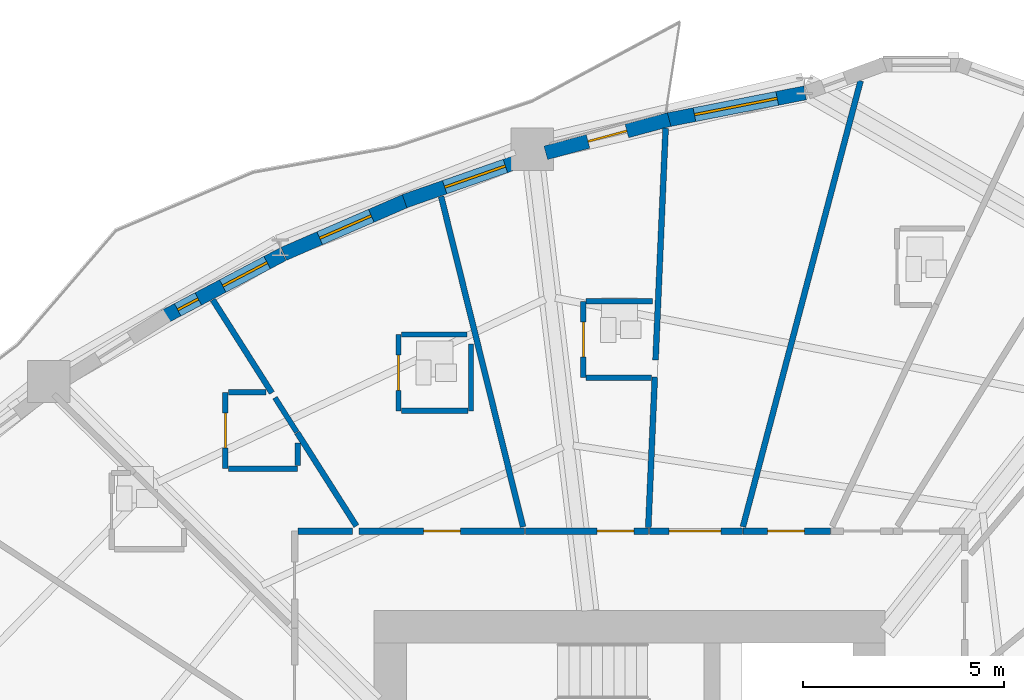
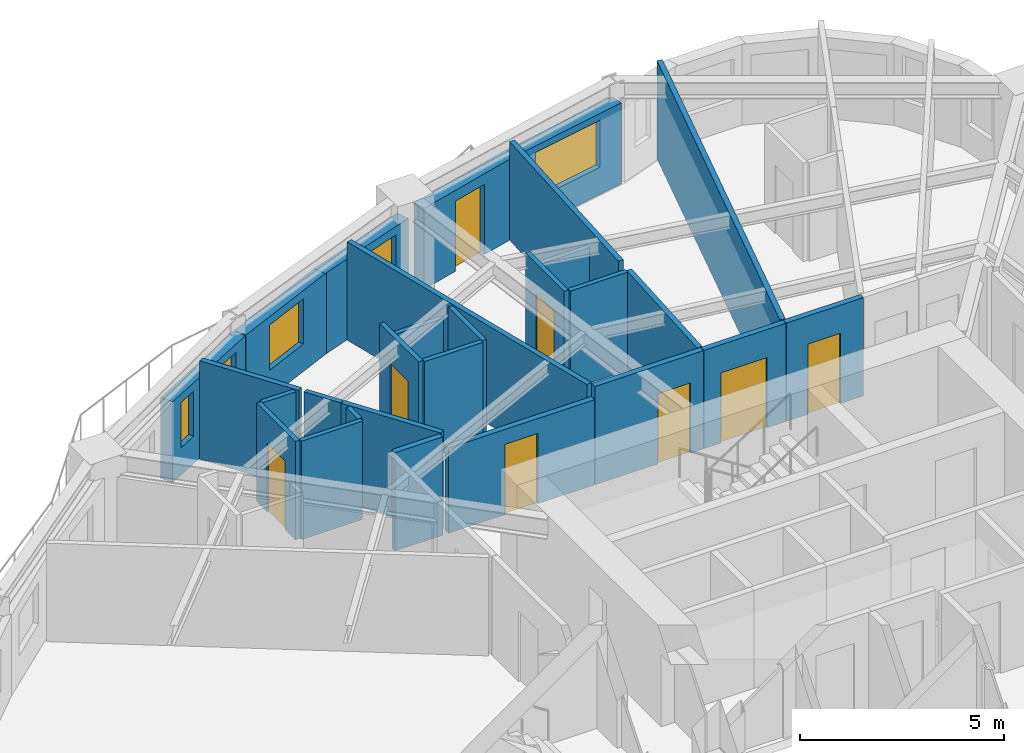
# One storey, part 9 of 14: 28 walls, 8 doors, 5 windows, 13 openings.
"""IFC4 building model written with IfcOpenShell, lengths in metres."""

from ifc_helpers import new_model, si_unit, direction, frame, frame_2d, origin, place, context, subcontext, project, spatial, rectangle, extrude, source, transform, mapped, material, layer, layer_set, type_object, element, fill, save


model = new_model("IFC4")

# Units and contexts
model_context = context("Model", 3, precision=1e-05, world=origin(), true_north=direction((0.0, 1.0)))
body_context = subcontext(model_context, "Body", "Model", "MODEL_VIEW")
ifc_project = project(units=[si_unit("LENGTHUNIT", "METRE"), si_unit("AREAUNIT", "SQUARE_METRE"), si_unit("VOLUMEUNIT", "CUBIC_METRE"), si_unit("PLANEANGLEUNIT", "RADIAN"), si_unit("MASSUNIT", "GRAM", prefix="KILO")], contexts=[model_context])

# Site, building, storey
site_placement = place(None, origin())
site = spatial("IfcSite", under=ifc_project, at=site_placement, CompositionType="ELEMENT")
building_placement = place(site_placement, origin())
building = spatial("IfcBuilding", under=site, at=building_placement, Name="Qafzar Sky-Pleat Residences", CompositionType="ELEMENT")
storey_placement = place(building_placement, frame((0.0, 0.0, 7.800048828125)))
storey = spatial("IfcBuildingStorey", under=building, at=storey_placement, Name="L01", CompositionType="ELEMENT", Elevation=7.800048828125)

# Wall, opening, door
ifc_material_1 = material(Name="Acoustic gypsum plasterboard partition", Category="gypsum")
ifc_layer_1 = layer(ifc_material_1, 0.159912109375)
ifc_layer_set_1 = layer_set([ifc_layer_1], Name="Acoustic gypsum plasterboard partition")
wall_type_1 = type_object("IfcWallType", Name="PART-COR-160", PredefinedType="PARTITIONING", material=ifc_layer_set_1)
wall_1_placement = place(storey_placement, frame((23.617919921875, 36.580078125, 0.0), z_axis=(0.0, 0.0, 1.0), x_axis=(1.0, 0.0, 0.0)))
wall_1 = element("IfcWall", 1, at=wall_1_placement, inside=storey, type_object=wall_type_1, Name="L01 Partition Wall PART-L01-PW-001", PredefinedType="PARTITIONING", context=body_context, shape_type="SweptSolid", body=[
    extrude(rectangle(XDim=4.123046875, YDim=0.159912109375, at=frame_2d((2.0615234375, 0.0))), origin(), (0.0, 0.0, 1.0), 2.5478515625),
])
opening_1_placement = place(wall_1_placement, frame((1.60302734375, 0.0, 0.0)))
opening_1 = element("IfcOpeningElement", 2, at=opening_1_placement, cuts=wall_1, Name="Opening ID-04", PredefinedType="OPENING", context=body_context, shape_type="SweptSolid", body=[
    extrude(rectangle(XDim=0.919921875, YDim=2.10009765625, at=frame_2d((0.4599609375, 1.050048828125))), frame((0.0, 0.08984375, 0.0), z_axis=(0.0, -1.0, 0.0), x_axis=(1.0, 0.0, 0.0)), (0.0, 0.0, 1.0), 0.179931640625),
])
ifc_material_2 = material(Name="Timber-faced fire door", Category="wood")
door_type_1 = type_object("IfcDoorType", Name="DR-BED-920", OperationType="NOTDEFINED", PredefinedType="DOOR", material=ifc_material_2)
shared_shape_1 = source(origin(), body_context, "Body", "SweptSolid", [
    extrude(rectangle(XDim=0.919921875, YDim=2.10009765625, at=frame_2d((0.4599609375, 1.050048828125))), frame((0.0, 0.02490234375, 0.0), z_axis=(0.0, -1.0, 0.0), x_axis=(1.0, 0.0, 0.0)), (0.0, 0.0, 1.0), 0.050048828125),
])
door_1_placement = place(opening_1_placement, origin())
door_1 = element("IfcDoor", 3, at=door_1_placement, inside=storey, type_object=door_type_1, Name="L01 Co-Living Bedroom 9 Door", OperationType="SINGLE_SWING_LEFT", OverallHeight=2.10009765625, OverallWidth=0.919921875, PredefinedType="DOOR", context=body_context, shape_type="MappedRepresentation", body=[
    mapped(shared_shape_1, transform((0.0, 0.0, 0.0), x_axis=(1.0, 0.0, 0.0), y_axis=(0.0, 1.0, 0.0), z_axis=(0.0, 0.0, 1.0), scale=1.0)),
])
fill(opening_1, door_1)

wall_2_placement = place(storey_placement, frame((27.756103515625, 36.580078125, 0.0), z_axis=(0.0, 0.0, 1.0), x_axis=(1.0, 0.0, 0.0)))
wall_2 = element("IfcWall", 4, at=wall_2_placement, inside=storey, type_object=wall_type_1, Name="L01 Partition Wall PART-L01-PW-006", PredefinedType="PARTITIONING", context=body_context, shape_type="SweptSolid", body=[
    extrude(rectangle(XDim=3.06982421875, YDim=0.159912109375, at=frame_2d((1.534912109375, 0.0))), origin(), (0.0, 0.0, 1.0), 2.93994140625),
])
opening_2_placement = place(wall_2_placement, frame((1.78759765625, 0.0, 0.0)))
opening_2 = element("IfcOpeningElement", 5, at=opening_2_placement, cuts=wall_2, Name="Opening ID-04", PredefinedType="OPENING", context=body_context, shape_type="SweptSolid", body=[
    extrude(rectangle(XDim=0.919921875, YDim=2.10009765625, at=frame_2d((0.4599609375, 1.050048828125))), frame((0.0, 0.08984375, 0.0), z_axis=(0.0, -1.0, 0.0), x_axis=(1.0, 0.0, 0.0)), (0.0, 0.0, 1.0), 0.179931640625),
])
door_2_placement = place(opening_2_placement, origin())
door_2 = element("IfcDoor", 6, at=door_2_placement, inside=storey, type_object=door_type_1, Name="L01 Co-Living Bedroom 8 Door", OperationType="SINGLE_SWING_LEFT", OverallHeight=2.10009765625, OverallWidth=0.919921875, PredefinedType="DOOR", context=body_context, shape_type="MappedRepresentation", body=[
    mapped(shared_shape_1, transform((0.0, 0.0, 0.0), x_axis=(1.0, 0.0, 0.0), y_axis=(0.0, 1.0, 0.0), z_axis=(0.0, 0.0, 1.0), scale=1.0)),
])
fill(opening_2, door_2)

wall_3_placement = place(storey_placement, frame((30.841064453125, 36.580078125, 0.0), z_axis=(0.0, 0.0, 1.0), x_axis=(1.0, 0.0, 0.0)))
wall_3 = element("IfcWall", 7, at=wall_3_placement, inside=storey, type_object=wall_type_1, Name="L01 Partition Wall PART-L01-PW-018", PredefinedType="PARTITIONING", context=body_context, shape_type="SweptSolid", body=[
    extrude(rectangle(XDim=2.31591796875, YDim=0.159912109375, at=frame_2d((1.157958984375, 0.0))), origin(), (0.0, 0.0, 1.0), 2.93994140625),
])
opening_3_placement = place(wall_3_placement, frame((0.485107421875, 0.0, 0.0)))
opening_3 = element("IfcOpeningElement", 8, at=opening_3_placement, cuts=wall_3, Name="Opening ID-05", PredefinedType="OPENING", context=body_context, shape_type="SweptSolid", body=[
    extrude(rectangle(XDim=1.300048828125, YDim=2.10009765625, at=frame_2d((0.64990234375, 1.050048828125))), frame((0.0, 0.08984375, 0.0), z_axis=(0.0, -1.0, 0.0), x_axis=(1.0, 0.0, 0.0)), (0.0, 0.0, 1.0), 0.179931640625),
])
door_type_2 = type_object("IfcDoorType", Name="DR-LNG-1300", OperationType="DOUBLE_DOOR_SINGLE_SWING", PredefinedType="DOOR", material=ifc_material_2)
shared_shape_2 = source(origin(), body_context, "Body", "SweptSolid", [
    extrude(rectangle(XDim=1.300048828125, YDim=2.10009765625, at=frame_2d((0.64990234375, 1.050048828125))), frame((0.0, 0.02490234375, 0.0), z_axis=(0.0, -1.0, 0.0), x_axis=(1.0, 0.0, 0.0)), (0.0, 0.0, 1.0), 0.050048828125),
])
door_3_placement = place(opening_3_placement, origin())
door_3 = element("IfcDoor", 9, at=door_3_placement, inside=storey, type_object=door_type_2, Name="L01 Communal Kitchen Door", OperationType="DOUBLE_DOOR_SINGLE_SWING", OverallHeight=2.10009765625, OverallWidth=1.300048828125, PredefinedType="DOOR", context=body_context, shape_type="MappedRepresentation", body=[
    mapped(shared_shape_2, transform((0.0, 0.0, 0.0), x_axis=(1.0, 0.0, 0.0), y_axis=(0.0, 1.0, 0.0), z_axis=(0.0, 0.0, 1.0), scale=1.0)),
])
fill(opening_3, door_3)

wall_4_placement = place(storey_placement, frame((33.172119140625, 36.580078125, 0.0), z_axis=(0.0, 0.0, 1.0), x_axis=(1.0, 0.0, 0.0)))
wall_4 = element("IfcWall", 10, at=wall_4_placement, inside=storey, type_object=wall_type_1, Name="L01 Partition Wall PART-L01-PW-020", PredefinedType="PARTITIONING", context=body_context, shape_type="SweptSolid", body=[
    extrude(rectangle(XDim=2.1728515625, YDim=0.159912109375, at=frame_2d((1.08642578125, 0.0))), origin(), (0.0, 0.0, 1.0), 2.93994140625),
])
opening_4_placement = place(wall_4_placement, frame((0.60302734375, 0.0, 0.0)))
opening_4 = element("IfcOpeningElement", 11, at=opening_4_placement, cuts=wall_4, Name="Opening ID-04", PredefinedType="OPENING", context=body_context, shape_type="SweptSolid", body=[
    extrude(rectangle(XDim=0.919921875, YDim=2.10009765625, at=frame_2d((0.4599609375, 1.050048828125))), frame((0.0, 0.08984375, 0.0), z_axis=(0.0, -1.0, 0.0), x_axis=(1.0, 0.0, 0.0)), (0.0, 0.0, 1.0), 0.179931640625),
])
door_4_placement = place(opening_4_placement, origin())
door_4 = element("IfcDoor", 12, at=door_4_placement, inside=storey, type_object=door_type_1, Name="L01 Co-Living Bedroom 7 Door", OperationType="SINGLE_SWING_RIGHT", OverallHeight=2.10009765625, OverallWidth=0.919921875, PredefinedType="DOOR", context=body_context, shape_type="MappedRepresentation", body=[
    mapped(shared_shape_1, transform((0.0, 0.0, 0.0), x_axis=(1.0, 0.0, 0.0), y_axis=(0.0, 1.0, 0.0), z_axis=(0.0, 0.0, 1.0), scale=1.0)),
])
fill(opening_4, door_4)

# Walls
wall_5_placement = place(storey_placement, frame((22.10791015625, 36.580078125, 0.0), z_axis=(0.0, 0.0, 1.0), x_axis=(1.0, 0.0, 0.0)))
element("IfcWall", 13, at=wall_5_placement, inside=storey, type_object=wall_type_1, Name="L01 Partition Wall PART-L01-PW-097", PredefinedType="PARTITIONING", context=body_context, shape_type="SweptSolid", body=[
    extrude(rectangle(XDim=1.350341796875, YDim=0.159912109375, at=frame_2d((0.67529296875, 0.0))), origin(), (0.0, 0.0, 1.0), 2.93994140625),
])
ifc_layer_2 = layer(ifc_material_1, 0.14501953125)
ifc_layer_set_2 = layer_set([ifc_layer_2], Name="Acoustic gypsum plasterboard partition")
wall_type_2 = type_object("IfcWallType", Name="PART-UNIT-145", PredefinedType="PARTITIONING", material=ifc_layer_set_2)
wall_6_placement = place(storey_placement, frame((33.1689453125, 36.686279296875, 0.0), z_axis=(0.0, 0.0, 1.0), x_axis=(0.255112522394, 0.966911371801, 0.0)))
element("IfcWall", 14, at=wall_6_placement, inside=storey, type_object=wall_type_2, Name="L01 Partition Wall PART-L01-PW-040", PredefinedType="PARTITIONING", context=body_context, shape_type="SweptSolid", body=[
    extrude(rectangle(XDim=11.468505859375, YDim=0.14501953125, at=frame_2d((5.734375, 0.0))), origin(), (0.0, 0.0, 1.0), 2.93994140625),
])
wall_7_placement = place(storey_placement, frame((25.6630859375, 44.89892578125, 0.0), z_axis=(0.0, 0.0, 1.0), x_axis=(0.240695577024, -0.970600658974, 0.0)))
element("IfcWall", 15, at=wall_7_placement, inside=storey, type_object=wall_type_2, Name="L01 Partition Wall PART-L01-PW-046", PredefinedType="PARTITIONING", context=body_context, shape_type="SweptSolid", body=[
    extrude(rectangle(XDim=8.46240234375, YDim=0.14501953125, at=frame_2d((4.231201171875, 0.0))), origin(), (0.0, 0.0, 1.0), 2.93994140625),
])
wall_8_placement = place(storey_placement, frame((30.99609375, 40.8359375, 0.0), z_axis=(0.0, 0.0, 1.0), x_axis=(0.043354544378, 0.999059749706, 0.0)))
element("IfcWall", 16, at=wall_8_placement, inside=storey, type_object=wall_type_2, Name="L01 Partition Wall PART-L01-PW-055", PredefinedType="PARTITIONING", context=body_context, shape_type="SweptSolid", body=[
    extrude(rectangle(XDim=5.766357421875, YDim=0.14501953125, at=frame_2d((2.88330078125, 0.0))), origin(), (0.0, 0.0, 1.0), 2.93994140625),
])
wall_9_placement = place(storey_placement, frame((30.81494140625, 36.671142578125, 0.0), z_axis=(0.0, 0.0, 1.0), x_axis=(0.043352224588, 0.999059850371, 0.0)))
element("IfcWall", 17, at=wall_9_placement, inside=storey, type_object=wall_type_2, Name="L01 Partition Wall PART-L01-PW-062", PredefinedType="PARTITIONING", context=body_context, shape_type="SweptSolid", body=[
    extrude(rectangle(XDim=3.7392578125, YDim=0.14501953125, at=frame_2d((1.86962890625, 0.0))), origin(), (0.0, 0.0, 1.0), 2.93994140625),
])
wall_10_placement = place(storey_placement, frame((22.08203125, 39.028076171875, 0.0), z_axis=(0.0, 0.0, 1.0), x_axis=(0.535944885386, -0.844252971465, 0.0)))
element("IfcWall", 18, at=wall_10_placement, inside=storey, type_object=wall_type_2, Name="L01 Partition Wall PART-L01-PW-069", PredefinedType="PARTITIONING", context=body_context, shape_type="SweptSolid", body=[
    extrude(rectangle(XDim=2.7509765625, YDim=0.14501953125, at=frame_2d((1.37548828125, 0.0))), origin(), (0.0, 0.0, 1.0), 2.93994140625),
])
wall_11_placement = place(storey_placement, frame((19.98681640625, 42.329833984375, 0.0), z_axis=(0.0, 0.0, 1.0), x_axis=(0.535808561115, -0.844339496788, 0.0)))
element("IfcWall", 19, at=wall_11_placement, inside=storey, type_object=wall_type_2, Name="L01 Partition Wall PART-L01-PW-072", PredefinedType="PARTITIONING", context=body_context, shape_type="SweptSolid", body=[
    extrude(rectangle(XDim=2.740234375, YDim=0.14501953125, at=frame_2d((1.3701171875, 0.0))), origin(), (0.0, 0.0, 1.0), 2.93994140625),
])

# Wall, opening, door
ifc_material_3 = material(Name="Moisture-resistant gypsum partition", Category="gypsum")
ifc_layer_3 = layer(ifc_material_3, 0.1298828125)
ifc_layer_set_3 = layer_set([ifc_layer_3], Name="Moisture-resistant gypsum partition")
wall_type_3 = type_object("IfcWallType", Name="PART-WET-130", PredefinedType="PARTITIONING", material=ifc_layer_set_3)
wall_12_placement = place(storey_placement, frame((29.198974609375, 42.2919921875, 0.0), z_axis=(0.0, 0.0, 1.0), x_axis=(0.0, -1.0, 0.0)))
wall_12 = element("IfcWall", 20, at=wall_12_placement, inside=storey, type_object=wall_type_3, Name="L01 Partition Wall PART-L01-PW-028", PredefinedType="PARTITIONING", context=body_context, shape_type="SweptSolid", body=[
    extrude(rectangle(XDim=1.89990234375, YDim=0.1298828125, at=frame_2d((0.949951171875, 0.0))), origin(), (0.0, 0.0, 1.0), 2.93994140625),
])
opening_5_placement = place(wall_12_placement, frame((0.510009765625, 0.0, 0.0)))
opening_5 = element("IfcOpeningElement", 21, at=opening_5_placement, cuts=wall_12, Name="Opening ID-07", PredefinedType="OPENING", context=body_context, shape_type="SweptSolid", body=[
    extrude(rectangle(XDim=0.8798828125, YDim=2.050048828125, at=frame_2d((0.43994140625, 1.02490234375))), frame((0.0, 0.074951171875, 0.0), z_axis=(0.0, -1.0, 0.0), x_axis=(1.0, 0.0, 0.0)), (0.0, 0.0, 1.0), 0.14990234375),
])
door_type_3 = type_object("IfcDoorType", Name="DR-WET-880", OperationType="NOTDEFINED", PredefinedType="DOOR", material=ifc_material_2)
shared_shape_3 = source(origin(), body_context, "Body", "SweptSolid", [
    extrude(rectangle(XDim=0.8798828125, YDim=2.050048828125, at=frame_2d((0.43994140625, 1.02490234375))), frame((0.0, 0.02490234375, 0.0), z_axis=(0.0, -1.0, 0.0), x_axis=(1.0, 0.0, 0.0)), (0.0, 0.0, 1.0), 0.050048828125),
])
door_5_placement = place(opening_5_placement, origin())
door_5 = element("IfcDoor", 22, at=door_5_placement, inside=storey, type_object=door_type_3, Name="L01 En-suite Bathroom 8 Door", OperationType="SINGLE_SWING_RIGHT", OverallHeight=2.050048828125, OverallWidth=0.8798828125, PredefinedType="DOOR", context=body_context, shape_type="MappedRepresentation", body=[
    mapped(shared_shape_3, transform((0.0, 0.0, 0.0), x_axis=(1.0, 0.0, 0.0), y_axis=(0.0, 1.0, 0.0), z_axis=(0.0, 0.0, 1.0), scale=1.0)),
])
fill(opening_5, door_5)

wall_13_placement = place(storey_placement, frame((24.60595703125, 41.469970703125, 0.0), z_axis=(0.0, 0.0, 1.0), x_axis=(0.0, -1.0, 0.0)))
wall_13 = element("IfcWall", 23, at=wall_13_placement, inside=storey, type_object=wall_type_3, Name="L01 Partition Wall PART-L01-PW-029", PredefinedType="PARTITIONING", context=body_context, shape_type="SweptSolid", body=[
    extrude(rectangle(XDim=1.89990234375, YDim=0.1298828125, at=frame_2d((0.949951171875, 0.0))), origin(), (0.0, 0.0, 1.0), 2.93994140625),
])
opening_6_placement = place(wall_13_placement, frame((0.510009765625, 0.0, 0.0)))
opening_6 = element("IfcOpeningElement", 24, at=opening_6_placement, cuts=wall_13, Name="Opening ID-07", PredefinedType="OPENING", context=body_context, shape_type="SweptSolid", body=[
    extrude(rectangle(XDim=0.8798828125, YDim=2.050048828125, at=frame_2d((0.43994140625, 1.02490234375))), frame((0.0, 0.074951171875, 0.0), z_axis=(0.0, -1.0, 0.0), x_axis=(1.0, 0.0, 0.0)), (0.0, 0.0, 1.0), 0.14990234375),
])
door_6_placement = place(opening_6_placement, origin())
door_6 = element("IfcDoor", 25, at=door_6_placement, inside=storey, type_object=door_type_3, Name="L01 En-suite Bathroom 9 Door", OperationType="SINGLE_SWING_LEFT", OverallHeight=2.050048828125, OverallWidth=0.8798828125, PredefinedType="DOOR", context=body_context, shape_type="MappedRepresentation", body=[
    mapped(shared_shape_3, transform((0.0, 0.0, 0.0), x_axis=(1.0, 0.0, 0.0), y_axis=(0.0, 1.0, 0.0), z_axis=(0.0, 0.0, 1.0), scale=1.0)),
])
fill(opening_6, door_6)

wall_14_placement = place(storey_placement, frame((20.297119140625, 40.031005859375, 0.0), z_axis=(0.0, 0.0, 1.0), x_axis=(0.0, -1.0, 0.0)))
wall_14 = element("IfcWall", 26, at=wall_14_placement, inside=storey, type_object=wall_type_3, Name="L01 Partition Wall PART-L01-PW-031", PredefinedType="PARTITIONING", context=body_context, shape_type="SweptSolid", body=[
    extrude(rectangle(XDim=1.89990234375, YDim=0.1298828125, at=frame_2d((0.949951171875, 0.0))), origin(), (0.0, 0.0, 1.0), 2.93994140625),
])
opening_7_placement = place(wall_14_placement, frame((0.510009765625, 0.0, 0.0)))
opening_7 = element("IfcOpeningElement", 27, at=opening_7_placement, cuts=wall_14, Name="Opening ID-07", PredefinedType="OPENING", context=body_context, shape_type="SweptSolid", body=[
    extrude(rectangle(XDim=0.8798828125, YDim=2.050048828125, at=frame_2d((0.43994140625, 1.02490234375))), frame((0.0, 0.074951171875, 0.0), z_axis=(0.0, -1.0, 0.0), x_axis=(1.0, 0.0, 0.0)), (0.0, 0.0, 1.0), 0.14990234375),
])
door_7_placement = place(opening_7_placement, origin())
door_7 = element("IfcDoor", 28, at=door_7_placement, inside=storey, type_object=door_type_3, Name="L01 En-suite Bathroom 11 Door", OperationType="SINGLE_SWING_LEFT", OverallHeight=2.050048828125, OverallWidth=0.8798828125, PredefinedType="DOOR", context=body_context, shape_type="MappedRepresentation", body=[
    mapped(shared_shape_3, transform((0.0, 0.0, 0.0), x_axis=(1.0, 0.0, 0.0), y_axis=(0.0, 1.0, 0.0), z_axis=(0.0, 0.0, 1.0), scale=1.0)),
])
fill(opening_7, door_7)

# Walls
wall_15_placement = place(storey_placement, frame((26.406005859375, 39.570068359375, 0.0), z_axis=(0.0, 0.0, 1.0), x_axis=(0.0, 1.0, 0.0)))
element("IfcWall", 29, at=wall_15_placement, inside=storey, type_object=wall_type_3, Name="L01 Partition Wall PART-L01-PW-076", PredefinedType="PARTITIONING", context=body_context, shape_type="SweptSolid", body=[
    extrude(rectangle(XDim=1.659912109375, YDim=0.1298828125, at=frame_2d((0.830078125, 0.0))), origin(), (0.0, 0.0, 1.0), 2.93994140625),
])
wall_16_placement = place(storey_placement, frame((20.3701171875, 38.131103515625, 0.0), z_axis=(0.0, 0.0, 1.0), x_axis=(1.0, 0.0, 0.0)))
element("IfcWall", 30, at=wall_16_placement, inside=storey, type_object=wall_type_3, Name="L01 Partition Wall PART-L01-PW-083", PredefinedType="PARTITIONING", context=body_context, shape_type="SweptSolid", body=[
    extrude(rectangle(XDim=1.726806640625, YDim=0.1298828125, at=frame_2d((0.86328125, 0.0))), origin(), (0.0, 0.0, 1.0), 2.93994140625),
])
wall_17_placement = place(storey_placement, frame((29.27197265625, 42.2919921875, 0.0), z_axis=(0.0, 0.0, 1.0), x_axis=(1.0, 0.0, 0.0)))
element("IfcWall", 31, at=wall_17_placement, inside=storey, type_object=wall_type_3, Name="L01 Partition Wall PART-L01-PW-086", PredefinedType="PARTITIONING", context=body_context, shape_type="SweptSolid", body=[
    extrude(rectangle(XDim=1.6435546875, YDim=0.1298828125, at=frame_2d((0.82177734375, 0.0))), origin(), (0.0, 0.0, 1.0), 2.508056640625),
])
wall_18_placement = place(storey_placement, frame((24.678955078125, 41.469970703125, 0.0), z_axis=(0.0, 0.0, 1.0), x_axis=(1.0, 0.0, 0.0)))
element("IfcWall", 32, at=wall_18_placement, inside=storey, type_object=wall_type_3, Name="L01 Partition Wall PART-L01-PW-087", PredefinedType="PARTITIONING", context=body_context, shape_type="SweptSolid", body=[
    extrude(rectangle(XDim=1.628173828125, YDim=0.1298828125, at=frame_2d((0.81396484375, 0.0))), origin(), (0.0, 0.0, 1.0), 2.508056640625),
])
wall_19_placement = place(storey_placement, frame((24.678955078125, 39.570068359375, 0.0), z_axis=(0.0, 0.0, 1.0), x_axis=(1.0, 0.0, 0.0)))
element("IfcWall", 33, at=wall_19_placement, inside=storey, type_object=wall_type_3, Name="L01 Partition Wall PART-L01-PW-088", PredefinedType="PARTITIONING", context=body_context, shape_type="SweptSolid", body=[
    extrude(rectangle(XDim=1.654052734375, YDim=0.1298828125, at=frame_2d((0.8271484375, 0.0))), origin(), (0.0, 0.0, 1.0), 2.93994140625),
])
wall_20_placement = place(storey_placement, frame((29.27197265625, 40.39208984375, 0.0), z_axis=(0.0, 0.0, 1.0), x_axis=(1.0, 0.0, 0.0)))
element("IfcWall", 34, at=wall_20_placement, inside=storey, type_object=wall_type_3, Name="L01 Partition Wall PART-L01-PW-092", PredefinedType="PARTITIONING", context=body_context, shape_type="SweptSolid", body=[
    extrude(rectangle(XDim=1.62060546875, YDim=0.1298828125, at=frame_2d((0.810302734375, 0.0))), origin(), (0.0, 0.0, 1.0), 2.93994140625),
])
wall_21_placement = place(storey_placement, frame((20.3701171875, 40.031005859375, 0.0), z_axis=(0.0, 0.0, 1.0), x_axis=(1.0, 0.0, 0.0)))
element("IfcWall", 35, at=wall_21_placement, inside=storey, type_object=wall_type_3, Name="L01 Partition Wall PART-L01-PW-103", PredefinedType="PARTITIONING", context=body_context, shape_type="SweptSolid", body=[
    extrude(rectangle(XDim=0.940673828125, YDim=0.1298828125, at=frame_2d((0.47021484375, 0.0))), origin(), (0.0, 0.0, 1.0), 2.93994140625),
])
wall_22_placement = place(storey_placement, frame((21.53076171875, 39.896728515625, 0.0), z_axis=(0.0, 0.0, 1.0), x_axis=(0.536002688679, -0.844216274262, 0.0)))
element("IfcWall", 36, at=wall_22_placement, inside=storey, type_object=wall_type_3, Name="L01 Partition Wall PART-L01-PW-104", PredefinedType="PARTITIONING", context=body_context, shape_type="SweptSolid", body=[
    extrude(rectangle(XDim=1.013916015625, YDim=0.1298828125, at=frame_2d((0.5068359375, 0.0))), origin(), (0.0, 0.0, 1.0), 2.93994140625),
])
wall_23_placement = place(storey_placement, frame((22.096923828125, 38.2041015625, 0.0), z_axis=(0.0, 0.0, 1.0), x_axis=(0.0, 1.0, 0.0)))
element("IfcWall", 37, at=wall_23_placement, inside=storey, type_object=wall_type_3, Name="L01 Partition Wall PART-L01-PW-110", PredefinedType="PARTITIONING", context=body_context, shape_type="SweptSolid", body=[
    extrude(rectangle(XDim=0.560791015625, YDim=0.1298828125, at=frame_2d((0.2802734375, 0.0))), origin(), (0.0, 0.0, 1.0), 2.93994140625),
])

# Wall, opening, window
ifc_material_4 = material(Name="Precast concrete C40/50 with honed Riyadh limestone", Category="concrete")
ifc_layer_4 = layer(ifc_material_4, 0.35009765625)
ifc_layer_set_4 = layer_set([ifc_layer_4], Name="Precast concrete C40/50 with honed Riyadh limestone")
wall_type_4 = type_object("IfcWallType", Name="WALL-EXT-350", PredefinedType="SOLIDWALL", material=ifc_layer_set_4)
wall_24_placement = place(storey_placement, frame((34.714111328125, 47.47509765625, 0.0), z_axis=(0.0, 0.0, 1.0), x_axis=(-0.981221268425, -0.192885516282, 0.0)))
wall_24 = element("IfcWall", 38, at=wall_24_placement, inside=storey, type_object=wall_type_4, Name="L01 Limestone Facade Wall 39", PredefinedType="SOLIDWALL", context=body_context, shape_type="SweptSolid", body=[
    extrude(rectangle(XDim=3.53271484375, YDim=0.35009765625, at=frame_2d((1.766357421875, 0.0))), origin(), (0.0, 0.0, 1.0), 2.419921875),
])
opening_8_placement = place(wall_24_placement, frame((0.706298828125, 0.0, 0.820068359375)))
opening_8 = element("IfcOpeningElement", 39, at=opening_8_placement, cuts=wall_24, Name="Opening WN-07", PredefinedType="OPENING", context=body_context, shape_type="SweptSolid", body=[
    extrude(rectangle(XDim=2.10009765625, YDim=1.39990234375, at=frame_2d((1.050048828125, 0.699951171875))), frame((0.0, 0.18505859375, 0.0), z_axis=(0.0, -1.0, 0.0), x_axis=(1.0, 0.0, 0.0)), (0.0, 0.0, 1.0), 0.3701171875),
])
ifc_material_5 = material(Name="Solar-control low-E glass in bronze aluminium frame", Category="glass")
window_type_1 = type_object("IfcWindowType", Name="WIN-07", PartitioningType="DOUBLE_PANEL_VERTICAL", PredefinedType="WINDOW", material=ifc_material_5)
shared_shape_4 = source(origin(), body_context, "Body", "SweptSolid", [
    extrude(rectangle(XDim=2.10009765625, YDim=1.39990234375, at=frame_2d((1.050048828125, 0.699951171875))), frame((0.0, 0.030029296875, 0.0), z_axis=(0.0, -1.0, 0.0), x_axis=(1.0, 0.0, 0.0)), (0.0, 0.0, 1.0), 0.06005859375),
])
window_1_placement = place(opening_8_placement, origin())
window_1 = element("IfcWindow", 40, at=window_1_placement, inside=storey, type_object=window_type_1, Name="L01 Punched Facade Window 39", OverallHeight=1.39990234375, OverallWidth=2.10009765625, PartitioningType="SINGLE_PANEL", PredefinedType="WINDOW", context=body_context, shape_type="MappedRepresentation", body=[
    mapped(shared_shape_4, transform((0.0, 0.0, 0.0), x_axis=(1.0, 0.0, 0.0), y_axis=(0.0, 1.0, 0.0), z_axis=(0.0, 0.0, 1.0), scale=1.0)),
])
fill(opening_8, window_1)

# Wall, opening, door
wall_25_placement = place(storey_placement, frame((31.33349609375, 46.813720703125, 0.0), z_axis=(0.0, 0.0, 1.0), x_axis=(-0.965456905924, -0.260562780926, 0.0)))
wall_25 = element("IfcWall", 41, at=wall_25_placement, inside=storey, type_object=wall_type_4, Name="L01 Limestone Facade Wall 40", PredefinedType="SOLIDWALL", context=body_context, shape_type="SweptSolid", body=[
    extrude(rectangle(XDim=3.17919921875, YDim=0.35009765625, at=frame_2d((1.589599609375, 0.0))), origin(), (0.0, 0.0, 1.0), 2.419921875),
])
opening_9_placement = place(wall_25_placement, frame((1.089599609375, 0.0, 0.0)))
opening_9 = element("IfcOpeningElement", 42, at=opening_9_placement, cuts=wall_25, Name="Opening ED-05", PredefinedType="OPENING", context=body_context, shape_type="SweptSolid", body=[
    extrude(rectangle(XDim=1.0, YDim=2.10009765625, at=frame_2d((0.5, 1.050048828125))), frame((0.0, 0.18505859375, 0.0), z_axis=(0.0, -1.0, 0.0), x_axis=(1.0, 0.0, 0.0)), (0.0, 0.0, 1.0), 0.3701171875),
])
ifc_material_6 = material(Name="Glazed bronze aluminium door", Category="aluminium")
door_type_4 = type_object("IfcDoorType", Name="DR-BAL-1000", OperationType="NOTDEFINED", PredefinedType="DOOR", material=ifc_material_6)
shared_shape_5 = source(origin(), body_context, "Body", "SweptSolid", [
    extrude(rectangle(XDim=1.0, YDim=2.10009765625, at=frame_2d((0.5, 1.050048828125))), frame((0.0, 0.02490234375, 0.0), z_axis=(0.0, -1.0, 0.0), x_axis=(1.0, 0.0, 0.0)), (0.0, 0.0, 1.0), 0.050048828125),
])
door_8_placement = place(opening_9_placement, origin())
door_8 = element("IfcDoor", 43, at=door_8_placement, inside=storey, type_object=door_type_4, Name="L01 Glazed Balcony Door 2", OperationType="SINGLE_SWING_LEFT", OverallHeight=2.10009765625, OverallWidth=1.0, PredefinedType="DOOR", context=body_context, shape_type="MappedRepresentation", body=[
    mapped(shared_shape_5, transform((0.0, 0.0, 0.0), x_axis=(1.0, 0.0, 0.0), y_axis=(0.0, 1.0, 0.0), z_axis=(0.0, 0.0, 1.0), scale=1.0)),
])
fill(opening_9, door_8)

# Wall, opening, window
wall_26_placement = place(storey_placement, frame((27.703369140625, 45.81201171875, 0.0), z_axis=(0.0, 0.0, 1.0), x_axis=(-0.944149283204, -0.329518028377, 0.0)))
wall_26 = element("IfcWall", 44, at=wall_26_placement, inside=storey, type_object=wall_type_4, Name="L01 Limestone Facade Wall 41", PredefinedType="SOLIDWALL", context=body_context, shape_type="SweptSolid", body=[
    extrude(rectangle(XDim=3.122802734375, YDim=0.35009765625, at=frame_2d((1.5615234375, 0.0))), origin(), (0.0, 0.0, 1.0), 2.419921875),
])
opening_10_placement = place(wall_26_placement, frame((0.467529296875, 0.0, 0.820068359375)))
opening_10 = element("IfcOpeningElement", 45, at=opening_10_placement, cuts=wall_26, Name="Opening WN-09", PredefinedType="OPENING", context=body_context, shape_type="SweptSolid", body=[
    extrude(rectangle(XDim=1.60009765625, YDim=1.35009765625, at=frame_2d((0.800048828125, 0.675048828125))), frame((0.0, 0.18505859375, 0.0), z_axis=(0.0, -1.0, 0.0), x_axis=(1.0, 0.0, 0.0)), (0.0, 0.0, 1.0), 0.3701171875),
])
window_type_2 = type_object("IfcWindowType", Name="WIN-09", PartitioningType="DOUBLE_PANEL_VERTICAL", PredefinedType="WINDOW", material=ifc_material_5)
shared_shape_6 = source(origin(), body_context, "Body", "SweptSolid", [
    extrude(rectangle(XDim=1.60009765625, YDim=1.35009765625, at=frame_2d((0.800048828125, 0.675048828125))), frame((0.0, 0.030029296875, 0.0), z_axis=(0.0, -1.0, 0.0), x_axis=(1.0, 0.0, 0.0)), (0.0, 0.0, 1.0), 0.06005859375),
])
window_2_placement = place(opening_10_placement, origin())
window_2 = element("IfcWindow", 46, at=window_2_placement, inside=storey, type_object=window_type_2, Name="L01 Punched Facade Window 41", OverallHeight=1.35009765625, OverallWidth=1.60009765625, PartitioningType="SINGLE_PANEL", PredefinedType="WINDOW", context=body_context, shape_type="MappedRepresentation", body=[
    mapped(shared_shape_6, transform((0.0, 0.0, 0.0), x_axis=(1.0, 0.0, 0.0), y_axis=(0.0, 1.0, 0.0), z_axis=(0.0, 0.0, 1.0), scale=1.0)),
])
fill(opening_10, window_2)

wall_27_placement = place(storey_placement, frame((24.837646484375, 44.815185546875, 0.0), z_axis=(0.0, 0.0, 1.0), x_axis=(-0.917087357706, -0.398686315712, 0.0)))
wall_27 = element("IfcWall", 47, at=wall_27_placement, inside=storey, type_object=wall_type_4, Name="L01 Limestone Facade Wall 42", PredefinedType="SOLIDWALL", context=body_context, shape_type="SweptSolid", body=[
    extrude(rectangle(XDim=3.364990234375, YDim=0.35009765625, at=frame_2d((1.6826171875, 0.0))), origin(), (0.0, 0.0, 1.0), 2.419921875),
])
opening_11_placement = place(wall_27_placement, frame((0.992431640625, 0.0, 0.820068359375)))
opening_11 = element("IfcOpeningElement", 48, at=opening_11_placement, cuts=wall_27, Name="Opening WN-10", PredefinedType="OPENING", context=body_context, shape_type="SweptSolid", body=[
    extrude(rectangle(XDim=1.39990234375, YDim=1.35009765625, at=frame_2d((0.699951171875, 0.675048828125))), frame((0.0, 0.18505859375, 0.0), z_axis=(0.0, -1.0, 0.0), x_axis=(1.0, 0.0, 0.0)), (0.0, 0.0, 1.0), 0.3701171875),
])
window_type_3 = type_object("IfcWindowType", Name="WIN-10", PartitioningType="SINGLE_PANEL", PredefinedType="WINDOW", material=ifc_material_5)
shared_shape_7 = source(origin(), body_context, "Body", "SweptSolid", [
    extrude(rectangle(XDim=1.39990234375, YDim=1.35009765625, at=frame_2d((0.699951171875, 0.675048828125))), frame((0.0, 0.030029296875, 0.0), z_axis=(0.0, -1.0, 0.0), x_axis=(1.0, 0.0, 0.0)), (0.0, 0.0, 1.0), 0.06005859375),
])
window_3_placement = place(opening_11_placement, origin())
window_3 = element("IfcWindow", 49, at=window_3_placement, inside=storey, type_object=window_type_3, Name="L01 Punched Facade Window 42", OverallHeight=1.35009765625, OverallWidth=1.39990234375, PartitioningType="SINGLE_PANEL", PredefinedType="WINDOW", context=body_context, shape_type="MappedRepresentation", body=[
    mapped(shared_shape_7, transform((0.0, 0.0, 0.0), x_axis=(1.0, 0.0, 0.0), y_axis=(0.0, 1.0, 0.0), z_axis=(0.0, 0.0, 1.0), scale=1.0)),
])
fill(opening_11, window_3)

# Wall, openings, windows
wall_28_placement = place(storey_placement, frame((21.7275390625, 43.4619140625, 0.0), z_axis=(0.0, 0.0, 1.0), x_axis=(-0.884404833282, -0.466720570435, 0.0)))
wall_28 = element("IfcWall", 50, at=wall_28_placement, inside=storey, type_object=wall_type_4, Name="L01 Limestone Facade Wall 43", PredefinedType="SOLIDWALL", context=body_context, shape_type="SweptSolid", body=[
    extrude(rectangle(XDim=3.345703125, YDim=0.35009765625, at=frame_2d((1.6728515625, 0.0))), origin(), (0.0, 0.0, 1.0), 2.419921875),
])
opening_12_placement = place(wall_28_placement, frame((0.43994140625, 0.0, 0.820068359375)))
opening_12 = element("IfcOpeningElement", 51, at=opening_12_placement, cuts=wall_28, Name="Opening WN-11", PredefinedType="OPENING", context=body_context, shape_type="SweptSolid", body=[
    extrude(rectangle(XDim=1.25, YDim=1.35009765625, at=frame_2d((0.625, 0.675048828125))), frame((0.0, 0.18505859375, 0.0), z_axis=(0.0, -1.0, 0.0), x_axis=(1.0, 0.0, 0.0)), (0.0, 0.0, 1.0), 0.3701171875),
])
opening_13_placement = place(wall_28_placement, frame((2.3779296875, 0.0, 0.820068359375)))
opening_13 = element("IfcOpeningElement", 52, at=opening_13_placement, cuts=wall_28, Name="Opening WN-17", PredefinedType="OPENING", context=body_context, shape_type="SweptSolid", body=[
    extrude(rectangle(XDim=0.580078125, YDim=1.35009765625, at=frame_2d((0.2900390625, 0.675048828125))), frame((0.0, 0.18505859375, 0.0), z_axis=(0.0, -1.0, 0.0), x_axis=(1.0, 0.0, 0.0)), (0.0, 0.0, 1.0), 0.3701171875),
])
window_type_4 = type_object("IfcWindowType", Name="WIN-17", PartitioningType="SINGLE_PANEL", PredefinedType="WINDOW", material=ifc_material_5)
shared_shape_8 = source(origin(), body_context, "Body", "SweptSolid", [
    extrude(rectangle(XDim=0.580078125, YDim=1.35009765625, at=frame_2d((0.2900390625, 0.675048828125))), frame((0.0, 0.030029296875, 0.0), z_axis=(0.0, -1.0, 0.0), x_axis=(1.0, 0.0, 0.0)), (0.0, 0.0, 1.0), 0.06005859375),
])
window_4_placement = place(opening_13_placement, origin())
window_4 = element("IfcWindow", 53, at=window_4_placement, inside=storey, type_object=window_type_4, Name="L01 Punched Facade Window 43-2", OverallHeight=1.35009765625, OverallWidth=0.580078125, PartitioningType="SINGLE_PANEL", PredefinedType="WINDOW", context=body_context, shape_type="MappedRepresentation", body=[
    mapped(shared_shape_8, transform((0.0, 0.0, 0.0), x_axis=(1.0, 0.0, 0.0), y_axis=(0.0, 1.0, 0.0), z_axis=(0.0, 0.0, 1.0), scale=1.0)),
])
fill(opening_13, window_4)
window_type_5 = type_object("IfcWindowType", Name="WIN-11", PartitioningType="SINGLE_PANEL", PredefinedType="WINDOW", material=ifc_material_5)
shared_shape_9 = source(origin(), body_context, "Body", "SweptSolid", [
    extrude(rectangle(XDim=1.25, YDim=1.35009765625, at=frame_2d((0.625, 0.675048828125))), frame((0.0, 0.030029296875, 0.0), z_axis=(0.0, -1.0, 0.0), x_axis=(1.0, 0.0, 0.0)), (0.0, 0.0, 1.0), 0.06005859375),
])
window_5_placement = place(opening_12_placement, origin())
window_5 = element("IfcWindow", 54, at=window_5_placement, inside=storey, type_object=window_type_5, Name="L01 Punched Facade Window 43", OverallHeight=1.35009765625, OverallWidth=1.25, PartitioningType="SINGLE_PANEL", PredefinedType="WINDOW", context=body_context, shape_type="MappedRepresentation", body=[
    mapped(shared_shape_9, transform((0.0, 0.0, 0.0), x_axis=(1.0, 0.0, 0.0), y_axis=(0.0, 1.0, 0.0), z_axis=(0.0, 0.0, 1.0), scale=1.0)),
])
fill(opening_12, window_5)

save(model, "model.ifc")
